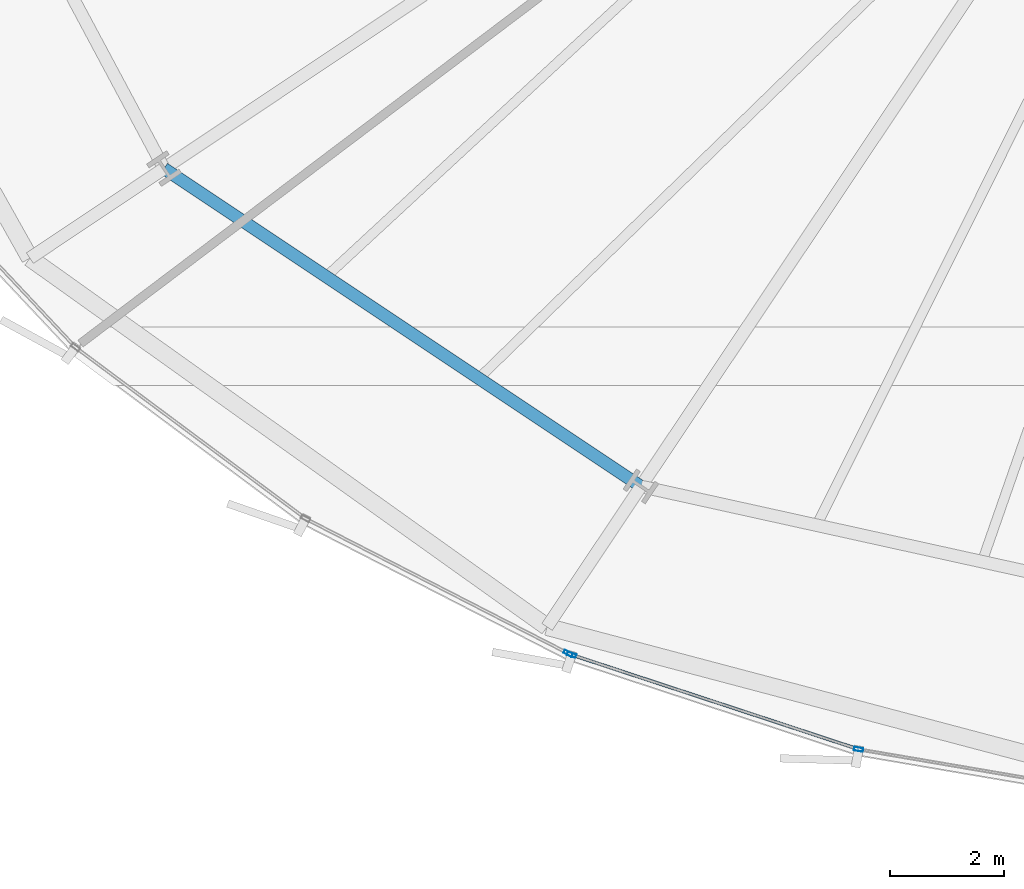
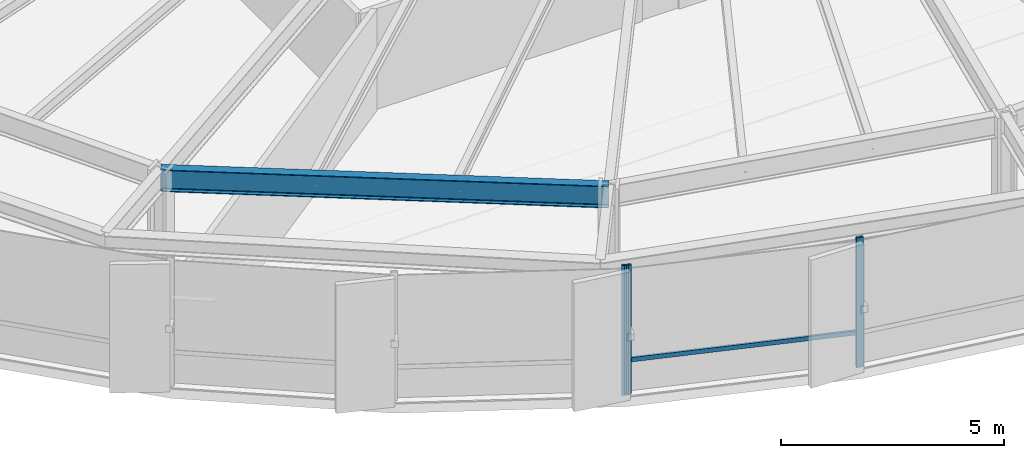
# One storey, part 4 of 39: 4 members, 1 beam, 2 elements without a shape of their own.
"""IFC4 building model written with IfcOpenShell, lengths in metres."""

import ifcopenshell
import ifcopenshell.guid

model = None  # the IFC model being written
_history = None  # IfcOwnerHistory: only IFC2X3 demands one
_inside = {}  # id of a spatial element -> (the spatial element, [elements in it])
_under = {}  # id of a project, library or spatial element -> (it, [spatial elements below it])
_declared = {}  # id of a project -> (the project, [libraries it declares])
_typed = {}  # id of a type object -> (the type object, [elements of that type])
_made_of = {}  # id of a material, layer set ... -> (it, [elements and type objects made of it])


def new_model(schema):
    """Start an empty IFC model of exactly this schema.

    Asked for "IFC4X3", IfcOpenShell would pick the latest addendum, in which some entities
    have other attributes; the version numbers below select the first issue.
    IFC2X3 requires an IfcOwnerHistory on every rooted entity: one is made here for all.
    """
    global model, _history
    if schema == "IFC4X3":
        model = ifcopenshell.file(schema_version=(4, 3, 0, 0))
    else:
        model = ifcopenshell.file(schema=schema)
    _inside.clear()
    _under.clear()
    _declared.clear()
    _typed.clear()
    _made_of.clear()
    _history = None
    if model.schema == "IFC2X3":
        org = make("IfcOrganization", Name="unknown")
        user = make(
            "IfcPersonAndOrganization",
            ThePerson=make("IfcPerson", FamilyName="unknown"),
            TheOrganization=org,
        )
        app = make(
            "IfcApplication",
            ApplicationDeveloper=org,
            Version="unknown",
            ApplicationFullName="unknown",
            ApplicationIdentifier="unknown",
        )
        _history = make(
            "IfcOwnerHistory",
            OwningUser=user,
            OwningApplication=app,
            ChangeAction="ADDED",
            CreationDate=0,
        )
    return model


def make(cls, **values):
    """One entity of the class cls with the attributes given. An attribute that is None is left unset."""
    return model.create_entity(
        cls, **{name: value for name, value in values.items() if value is not None}
    )


def rooted(cls, **values):
    """An entity with a GlobalId (a new one), such as an element, a storey or a relation."""
    return make(cls, GlobalId=ifcopenshell.guid.new(), OwnerHistory=_history, **values)


def si_unit(unit_type, name, prefix=None):
    """IfcSIUnit, for example si_unit("LENGTHUNIT", "METRE", prefix="MILLI")."""
    return make("IfcSIUnit", UnitType=unit_type, Prefix=prefix, Name=name)


def assignment(units):
    """IfcUnitAssignment: the units of a project."""
    return None if units is None else make("IfcUnitAssignment", Units=units)


def point(xyz):
    """IfcCartesianPoint."""
    return None if xyz is None else make("IfcCartesianPoint", Coordinates=xyz)


def direction(xyz):
    """IfcDirection."""
    return None if xyz is None else make("IfcDirection", DirectionRatios=xyz)


def frame(location, z_axis=None, x_axis=None):
    """IfcAxis2Placement3D, a coordinate frame: its origin and axes. An axis left out is left unset."""
    return make(
        "IfcAxis2Placement3D",
        Location=point(location),
        Axis=direction(z_axis),
        RefDirection=direction(x_axis),
    )


def frame_2d(location, x_axis=None):
    """IfcAxis2Placement2D, a coordinate frame in the plane: its origin and x axis."""
    return make(
        "IfcAxis2Placement2D", Location=point(location), RefDirection=direction(x_axis)
    )


def origin():
    """The frame at (0, 0, 0) with its axes left unset."""
    return frame((0.0, 0.0, 0.0))


def origin_2d():
    """The frame at (0, 0) in the plane with its x axis left unset."""
    return frame_2d((0.0, 0.0))


def place(relative_to, where):
    """IfcLocalPlacement: puts the frame where relative to a parent placement (None: the world)."""
    return make(
        "IfcLocalPlacement", PlacementRelTo=relative_to, RelativePlacement=where
    )


def context(
    kind, dimensions, precision=None, world=None, true_north=None, identifier=None
):
    """IfcGeometricRepresentationContext, for example the 3D "Model" context."""
    return make(
        "IfcGeometricRepresentationContext",
        ContextIdentifier=identifier,
        ContextType=kind,
        CoordinateSpaceDimension=dimensions,
        Precision=precision,
        WorldCoordinateSystem=world,
        TrueNorth=true_north,
    )


def subcontext(parent, identifier, kind, view, scale=None):
    """IfcGeometricRepresentationSubContext, for example "Body" below "Model"."""
    return make(
        "IfcGeometricRepresentationSubContext",
        ContextIdentifier=identifier,
        ContextType=kind,
        ParentContext=parent,
        TargetScale=scale,
        TargetView=view,
    )


def project(units=None, contexts=None):
    """IfcProject with its units and contexts."""
    return rooted(
        "IfcProject",
        Name="project",
        RepresentationContexts=contexts,
        UnitsInContext=assignment(units),
    )


def spatial(cls, under=None, at=None, **own):
    """A site, building, storey or space (cls), placed at a placement, below another one or the project."""
    s = rooted(cls, ObjectPlacement=at, **own)
    if under is not None:
        _under.setdefault(under.id(), (under, []))[1].append(s)
    return s


def profile(cls, at=None, kind="AREA", **sizes):
    """A parametric profile (cls). Its sizes go by their IFC names, for example OverallWidth=200.0."""
    return make(cls, ProfileType=kind, Position=at, **sizes)


def hollow_rectangle(**sizes):
    """IfcRectangleHollowProfileDef."""
    return profile("IfcRectangleHollowProfileDef", **sizes)


def i_section(**sizes):
    """IfcIShapeProfileDef."""
    return profile("IfcIShapeProfileDef", **sizes)


def extrude(swept, where, along, depth):
    """IfcExtrudedAreaSolid: the profile swept, set in the frame where, extruded along a direction by depth."""
    return make(
        "IfcExtrudedAreaSolid",
        SweptArea=swept,
        Position=where,
        ExtrudedDirection=direction(along),
        Depth=depth,
    )


def shape(context_of_items, identifier, shape_type, items):
    """IfcShapeRepresentation: the items that make up one representation, for example the "Body"."""
    return make(
        "IfcShapeRepresentation",
        ContextOfItems=context_of_items,
        RepresentationIdentifier=identifier,
        RepresentationType=shape_type,
        Items=items,
    )


def source(mapping_origin, context_of_items, identifier, shape_type, items):
    """IfcRepresentationMap: a shape defined once, which mapped items show again and again."""
    return make(
        "IfcRepresentationMap",
        MappingOrigin=mapping_origin,
        MappedRepresentation=shape(context_of_items, identifier, shape_type, items),
    )


def transform(
    local_origin,
    x_axis=None,
    y_axis=None,
    z_axis=None,
    scale=None,
    scale2=None,
    scale3=None,
    uniform=True,
):
    """IfcCartesianTransformationOperator3D, or its non-uniform kind. x_axis, y_axis, z_axis: its Axis1, 2, 3."""
    if uniform:
        return make(
            "IfcCartesianTransformationOperator3D",
            Axis1=direction(x_axis),
            Axis2=direction(y_axis),
            LocalOrigin=point(local_origin),
            Scale=scale,
            Axis3=direction(z_axis),
        )
    return make(
        "IfcCartesianTransformationOperator3DnonUniform",
        Axis1=direction(x_axis),
        Axis2=direction(y_axis),
        LocalOrigin=point(local_origin),
        Scale=scale,
        Axis3=direction(z_axis),
        Scale2=scale2,
        Scale3=scale3,
    )


def mapped(mapping_source, mapping_target):
    """IfcMappedItem: shows the shape of a source again, moved by a transform."""
    return make(
        "IfcMappedItem", MappingSource=mapping_source, MappingTarget=mapping_target
    )


def material(Name=None, Category=None):
    """IfcMaterial."""
    return make("IfcMaterial", Name=Name, Category=Category)


def layer(
    of_material, thickness, ventilated=None, Name=None, Category=None, Priority=None
):
    """IfcMaterialLayer: one layer of a wall or slab, of a material (None: an air gap)."""
    return make(
        "IfcMaterialLayer",
        Material=of_material,
        LayerThickness=thickness,
        IsVentilated=ventilated,
        Name=Name,
        Category=Category,
        Priority=Priority,
    )


def layer_set(layers, Name=None):
    """IfcMaterialLayerSet."""
    return make("IfcMaterialLayerSet", MaterialLayers=layers, LayerSetName=Name)


def material_profile(
    of_material, cross_section, Name=None, Category=None, Priority=None
):
    """IfcMaterialProfile: a cross section and its material."""
    return make(
        "IfcMaterialProfile",
        Name=Name,
        Material=of_material,
        Profile=cross_section,
        Priority=Priority,
        Category=Category,
    )


def profile_set(profiles, Name=None, composite=None):
    """IfcMaterialProfileSet."""
    return make(
        "IfcMaterialProfileSet",
        Name=Name,
        MaterialProfiles=profiles,
        CompositeProfile=composite,
    )


def made_of(thing, what):
    """Note that an element or type object is made of a material, layer set ...; save() writes the relation."""
    if what is not None:
        _made_of.setdefault(what.id(), (what, []))[1].append(thing)
    return thing


def type_object(cls, material=None, **own):
    """A type object (cls), such as IfcWallType, which elements share."""
    return made_of(rooted(cls, **own), material)


def element(
    cls,
    number,
    at=None,
    inside=None,
    cuts=None,
    type_object=None,
    material=None,
    context=None,
    identifier="Body",
    shape_type=None,
    held_by="IfcProductDefinitionShape",
    body=None,
    shapes=None,
    **own,
):
    """One element of the class cls, such as IfcWall. Its Tag is "e" and its number.

    at: its placement. inside: the storey or other place that contains it. cuts: it is an
    opening in that element (IfcRelVoidsElement). A single representation is given by context,
    identifier, shape_type and body (its items); several are given by shapes. held_by: the class
    of the entity that holds the representations. save() writes the other relations.
    """
    e = rooted(cls, Tag="e%d" % number, ObjectPlacement=at, **own)
    if body is not None:
        shapes = [shape(context, identifier, shape_type, body)]
    if shapes is not None:
        e.Representation = make(held_by, Representations=shapes)
    if inside is not None:
        _inside.setdefault(inside.id(), (inside, []))[1].append(e)
    if cuts is not None:
        rooted(
            "IfcRelVoidsElement", RelatingBuildingElement=cuts, RelatedOpeningElement=e
        )
    if type_object is not None:
        _typed.setdefault(type_object.id(), (type_object, []))[1].append(e)
    return made_of(e, material)


def aggregate(whole, parts):
    """IfcRelAggregates: a whole, such as a stair, and the parts it consists of."""
    return rooted("IfcRelAggregates", RelatingObject=whole, RelatedObjects=parts)


def save(model, path):
    """Write the relations noted so far, then the file.

    IfcRelAggregates (storeys below a building ...), IfcRelContainedInSpatialStructure (elements
    in a storey), IfcRelDefinesByType, IfcRelAssociatesMaterial and IfcRelDeclares: one each for
    every whole, place, type object, material and project.
    """
    for whole, parts in _under.values():
        aggregate(whole, parts)
    for where, things in _inside.values():
        rooted(
            "IfcRelContainedInSpatialStructure",
            RelatedElements=things,
            RelatingStructure=where,
        )
    for kind, things in _typed.values():
        rooted("IfcRelDefinesByType", RelatedObjects=things, RelatingType=kind)
    for what, things in _made_of.values():
        rooted("IfcRelAssociatesMaterial", RelatedObjects=things, RelatingMaterial=what)
    for by, libraries in _declared.values():
        rooted("IfcRelDeclares", RelatingContext=by, RelatedDefinitions=libraries)
    model.write(path)


model = new_model("IFC4")

# Units and contexts
model_context = context("Model", 3, precision=1e-05, world=origin(), true_north=direction((0.0, 1.0)))
body_context = subcontext(model_context, "Body", "Model", "MODEL_VIEW")
ifc_project = project(units=[si_unit("LENGTHUNIT", "METRE"), si_unit("AREAUNIT", "SQUARE_METRE"), si_unit("VOLUMEUNIT", "CUBIC_METRE"), si_unit("PLANEANGLEUNIT", "RADIAN"), si_unit("MASSUNIT", "GRAM", prefix="KILO"), si_unit("THERMODYNAMICTEMPERATUREUNIT", "KELVIN")], contexts=[model_context])

# Site, building, storey
site_placement = place(None, origin())
site = spatial("IfcSite", under=ifc_project, at=site_placement, CompositionType="ELEMENT")
building_placement = place(site_placement, origin())
building = spatial("IfcBuilding", under=site, at=building_placement, Name="Kethvar Cultural Tower", CompositionType="ELEMENT")
storey_placement = place(building_placement, frame((0.0, 0.0, 41.0)))
storey = spatial("IfcBuildingStorey", under=building, at=storey_placement, Name="L09", CompositionType="ELEMENT", Elevation=41.0)

# Beam
ifc_material_1 = material(Name="Steel S355J2", Category="steel")
ifc_material_profile_1 = material_profile(ifc_material_1, i_section(OverallWidth=0.219970703125, OverallDepth=0.60009765625, WebThickness=0.011962890625, FlangeThickness=0.01904296875, FilletRadius=0.02392578125, at=origin_2d()), Name="Steel S355J2 — IPE600")
ifc_profile_set_1 = profile_set([ifc_material_profile_1], Name="Steel S355J2 — IPE600")
beam_type = type_object("IfcBeamType", Name="BM-IPE600", PredefinedType="BEAM", material=ifc_profile_set_1)
shared_shape_1 = source(origin(), body_context, "Body", "SweptSolid", [
    extrude(i_section(OverallWidth=0.219970703125, OverallDepth=0.60009765625, WebThickness=0.011962890625, FlangeThickness=0.01904296875, FilletRadius=0.02392578125, at=origin_2d()), origin(), (0.0, 0.0, 1.0), 10.06787109375),
])
beam_placement = place(storey_placement, frame((24.9248046875, 13.183349609375, 3.248046875), z_axis=(0.832065216665, -0.554677812083, 0.0), x_axis=(0.554677812083, 0.832065216665, 0.0)))
element("IfcBeam", 1, at=beam_placement, inside=storey, type_object=beam_type, Name="L09 Column Ring Tie Beam CR-10", PredefinedType="BEAM", context=body_context, shape_type="MappedRepresentation", body=[
    mapped(shared_shape_1, transform((0.0, 0.0, 0.0), scale=1.0)),
])

# Curtain wall, member
ifc_material_2 = material(Name="Aluminium 6063-T6", Category="aluminium")
ifc_layer = layer(ifc_material_2, 0.179931640625, Name="Aluminium 6063-T6", Category="aluminium")
ifc_layer_set = layer_set([ifc_layer], Name="Aluminium 6063-T6 (180 mm)")
curtain_wall_type = type_object("IfcCurtainWallType", Name="CW-SYS-02-Z1", PredefinedType="NOTDEFINED", material=ifc_layer_set)
curtain_wall_1_placement = place(storey_placement, origin())
curtain_wall_1 = element("IfcCurtainWall", 2, at=curtain_wall_1_placement, inside=storey, type_object=curtain_wall_type, Name="L09 Curtain Wall Run 04", PredefinedType="NOTDEFINED")
ifc_material_profile_2 = material_profile(ifc_material_2, hollow_rectangle(XDim=0.06494140625, YDim=0.159912109375, WallThickness=0.0048828125, at=origin_2d()), Name="Aluminium 6063-T6 — RHS160x65x5")
ifc_profile_set_2 = profile_set([ifc_material_profile_2], Name="Aluminium 6063-T6 — RHS160x65x5")
member_type_1 = type_object("IfcMemberType", Name="CW-SYS-02-Z1-MUL", PredefinedType="MULLION", material=ifc_profile_set_2)
shared_shape_2 = source(origin(), body_context, "Body", "SweptSolid", [
    extrude(hollow_rectangle(XDim=0.06494140625, YDim=0.159912109375, WallThickness=0.0048828125, at=origin_2d()), origin(), (0.0, 0.0, 1.0), 3.550048828125),
])
member_1_placement = place(storey_placement, frame((32.02392578125, 4.666259765625, 0.0), z_axis=(0.0, 0.0, 1.0), x_axis=(0.4564147696, 0.889767137003, 0.0)))
member_1 = element("IfcMember", 3, at=member_1_placement, type_object=member_type_1, Name="CW-L09-R04 Mullion 7", PredefinedType="MULLION", context=body_context, shape_type="MappedRepresentation", body=[
    mapped(shared_shape_2, transform((0.0, 0.0, 0.0), scale=1.0)),
])
aggregate(curtain_wall_1, [member_1])

# Curtain wall, members
curtain_wall_2_placement = place(storey_placement, origin())
curtain_wall_2 = element("IfcCurtainWall", 4, at=curtain_wall_2_placement, inside=storey, type_object=curtain_wall_type, Name="L09 Curtain Wall Run 05", PredefinedType="NOTDEFINED")
member_2_placement = place(storey_placement, frame((32.08447265625, 4.64111328125, 0.0), z_axis=(0.0, 0.0, 1.0), x_axis=(0.312683080468, 0.949857510993, 0.0)))
member_2 = element("IfcMember", 5, at=member_2_placement, type_object=member_type_1, Name="CW-L09-R05 Mullion 1", PredefinedType="MULLION", context=body_context, shape_type="MappedRepresentation", body=[
    mapped(shared_shape_2, transform((0.0, 0.0, 0.0), scale=1.0)),
])
member_3_placement = place(storey_placement, frame((37.126708984375, 2.979736328125, 0.0), z_axis=(0.0, 0.0, 1.0), x_axis=(0.168282930619, 0.985738735803, 0.0)))
member_3 = element("IfcMember", 6, at=member_3_placement, type_object=member_type_1, Name="CW-L09-R05 Mullion 2", PredefinedType="MULLION", context=body_context, shape_type="MappedRepresentation", body=[
    mapped(shared_shape_2, transform((0.0, 0.0, 0.0), scale=1.0)),
])
ifc_material_profile_3 = material_profile(ifc_material_2, hollow_rectangle(XDim=0.054931640625, YDim=0.1201171875, WallThickness=0.00390625, at=origin_2d()), Name="Aluminium 6063-T6 — RHS120x55x4")
ifc_profile_set_3 = profile_set([ifc_material_profile_3], Name="Aluminium 6063-T6 — RHS120x55x4")
member_type_2 = type_object("IfcMemberType", Name="CW-SYS-02-Z1-TRN", PredefinedType="USERDEFINED", material=ifc_profile_set_3)
shared_shape_3 = source(origin(), body_context, "Body", "SweptSolid", [
    extrude(hollow_rectangle(XDim=0.054931640625, YDim=0.1201171875, WallThickness=0.00390625, at=origin_2d()), origin(), (0.0, 0.0, 1.0), 5.275146484375),
])
member_4_placement = place(storey_placement, frame((32.0888671875, 4.639404296875, 0.949951171875), z_axis=(0.949861421009, -0.312671202511, 0.0), x_axis=(0.312671202511, 0.949861421009, 0.0)))
member_4 = element("IfcMember", 7, at=member_4_placement, type_object=member_type_2, Name="CW-L09-R05 Transom 1", ObjectType="TRANSOM", PredefinedType="USERDEFINED", context=body_context, shape_type="MappedRepresentation", body=[
    mapped(shared_shape_3, transform((0.0, 0.0, 0.0), scale=1.0)),
])
aggregate(curtain_wall_2, [member_2, member_3, member_4])

save(model, "model.ifc")
